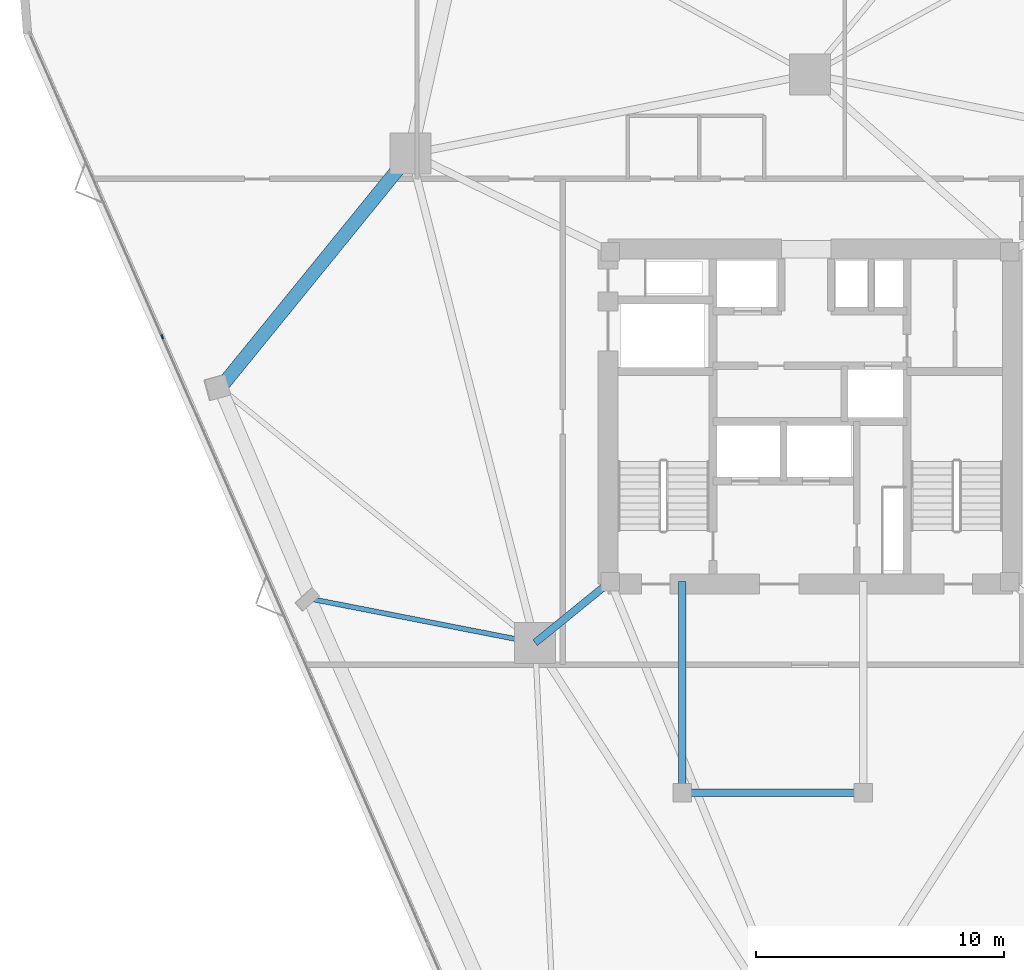
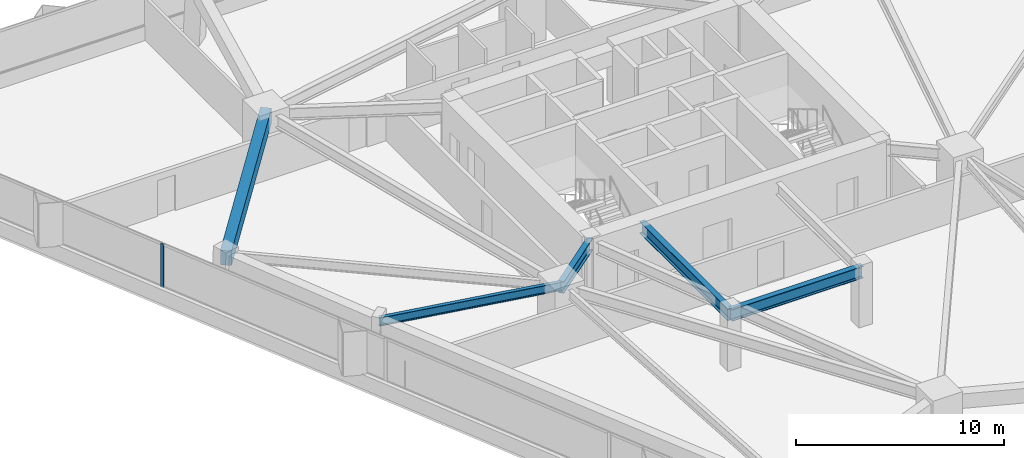
# One storey, part 6 of 19: 5 beams, 1 member, 1 element without a shape of its own.
"""IFC4 building model written with IfcOpenShell, lengths in metres."""

from ifc_helpers import new_model, si_unit, direction, frame, origin, origin_2d, place, context, subcontext, project, spatial, rectangle, i_section, extrude, material, layer, layer_set, material_profile, profile_set, type_object, element, aggregate, save


model = new_model("IFC4")

# Units and contexts
model_context = context("Model", 3, precision=1e-05, world=origin(), true_north=direction((0.0, 1.0)))
body_context = subcontext(model_context, "Body", "Model", "MODEL_VIEW")
ifc_project = project(units=[si_unit("LENGTHUNIT", "METRE"), si_unit("AREAUNIT", "SQUARE_METRE"), si_unit("VOLUMEUNIT", "CUBIC_METRE"), si_unit("PLANEANGLEUNIT", "RADIAN"), si_unit("MASSUNIT", "GRAM", prefix="KILO")], contexts=[model_context])

# Site, building, storey
site_placement = place(None, origin())
site = spatial("IfcSite", under=ifc_project, at=site_placement, CompositionType="ELEMENT")
building_placement = place(site_placement, origin())
building = spatial("IfcBuilding", under=site, at=building_placement, Name="Talyreon Biosciences Tower", CompositionType="ELEMENT")
storey_placement = place(building_placement, frame((0.0, 0.0, 85.949951171875)))
storey = spatial("IfcBuildingStorey", under=building, at=storey_placement, Name="L22", CompositionType="ELEMENT", Elevation=85.949951171875)

# Curtain wall, member
ifc_material_1 = material(Name="Thermally broken aluminium and low-E glazing", Category="aluminium")
ifc_layer = layer(ifc_material_1, 0.18994140625)
ifc_layer_set = layer_set([ifc_layer], Name="Thermally broken aluminium and low-E glazing")
curtain_wall_type = type_object("IfcCurtainWallType", Name="CurtainWall_Zone2Genomics", PredefinedType="NOTDEFINED", material=ifc_layer_set)
curtain_wall_placement = place(storey_placement, origin())
curtain_wall = element("IfcCurtainWall", 1, at=curtain_wall_placement, inside=storey, type_object=curtain_wall_type, Name="L22 Unitised Curtain Wall FCW-L22-00", PredefinedType="NOTDEFINED")
ifc_material_2 = material(Name="Anodised thermally broken aluminium", Category="aluminium")
ifc_material_profile_1 = material_profile(ifc_material_2, rectangle(XDim=0.06494140625, YDim=0.179931640625, at=origin_2d()), Name="ALUM MULLION 65x180")
ifc_profile_set_1 = profile_set([ifc_material_profile_1], Name="Anodised thermally broken aluminium")
member_type = type_object("IfcMemberType", Name="CWMullion_65x180", PredefinedType="MULLION", material=ifc_profile_set_1)
member_placement = place(storey_placement, frame((39.88134765625, 71.2197265625, 0.81005859375), z_axis=(0.0, 0.0, 1.0), x_axis=(-0.916213942072, -0.400689421314, 0.0)))
member = element("IfcMember", 2, at=member_placement, type_object=member_type, Name="CW3 mullion 5", PredefinedType="MULLION", context=body_context, shape_type="SweptSolid", body=[
    extrude(rectangle(XDim=0.06494140625, YDim=0.179931640625, at=origin_2d()), origin(), (0.0, 0.0, 1.0), 2.56494140625),
])
aggregate(curtain_wall, [member])

# Beams
ifc_material_3 = material(Name="Precast concrete C45/55", Category="concrete")
ifc_material_profile_2 = material_profile(ifc_material_3, rectangle(XDim=0.550048828125, YDim=0.85009765625, at=origin_2d()), Name="RCB 550x850")
ifc_profile_set_2 = profile_set([ifc_material_profile_2], Name="Precast concrete C45/55")
beam_type_1 = type_object("IfcBeamType", Name="ExpressedSpandrel_550x850", PredefinedType="SPANDREL", material=ifc_profile_set_2)
beam_1_placement = place(storey_placement, frame((49.897705078125, 78.5986328125, 2.949951171875), z_axis=(-0.630945259734, -0.775827351425, 0.0), x_axis=(0.775827351425, -0.630945259734, 0.0)))
element("IfcBeam", 3, at=beam_1_placement, inside=storey, type_object=beam_type_1, Name="L22 Expressed Horizontal Concrete Spandrel 09", PredefinedType="SPANDREL", context=body_context, shape_type="SweptSolid", body=[
    extrude(rectangle(XDim=0.550048828125, YDim=0.85009765625, at=origin_2d()), origin(), (0.0, 0.0, 1.0), 12.169677734375),
])
ifc_material_4 = material(Name="Steel SM355", Category="steel")
ifc_material_profile_3 = material_profile(ifc_material_4, i_section(OverallWidth=0.300048828125, OverallDepth=0.699951171875, WebThickness=0.01708984375, FlangeThickness=0.031982421875, FilletRadius=0.027099609375, at=origin_2d()), Name="HE700B")
ifc_profile_set_3 = profile_set([ifc_material_profile_3], Name="Steel SM355")
beam_type_2 = type_object("IfcBeamType", Name="SteelGirder_HE700B", PredefinedType="BEAM", material=ifc_profile_set_3)
beam_2_placement = place(storey_placement, frame((57.949951171875, 61.35009765625, 3.025146484375), z_axis=(-0.775755154013, -0.631034025249, 0.0), x_axis=(0.631034025249, -0.775755154013, 0.0)))
element("IfcBeam", 4, at=beam_2_placement, inside=storey, type_object=beam_type_2, Name="L22 Radial Primary Girder 6", PredefinedType="BEAM", context=body_context, shape_type="SweptSolid", body=[
    extrude(i_section(OverallWidth=0.300048828125, OverallDepth=0.699951171875, WebThickness=0.01708984375, FlangeThickness=0.031982421875, FilletRadius=0.027099609375, at=origin_2d()), origin(), (0.0, 0.0, 1.0), 3.913818359375),
])
beam_3_placement = place(storey_placement, frame((60.85009765625, 52.840087890625, 3.025146484375), z_axis=(1.0, 0.0, 0.0), x_axis=(0.0, 1.0, 0.0)))
element("IfcBeam", 5, at=beam_3_placement, inside=storey, type_object=beam_type_2, Name="L22 Crown Shaft Spine Girder S", PredefinedType="BEAM", context=body_context, shape_type="SweptSolid", body=[
    extrude(i_section(OverallWidth=0.300048828125, OverallDepth=0.699951171875, WebThickness=0.01708984375, FlangeThickness=0.031982421875, FilletRadius=0.027099609375, at=origin_2d()), origin(), (0.0, 0.0, 1.0), 7.2998046875),
])
beam_4_placement = place(storey_placement, frame((60.85009765625, 52.840087890625, 3.025146484375), z_axis=(0.0, 1.0, 0.0), x_axis=(-1.0, 0.0, 0.0)))
element("IfcBeam", 6, at=beam_4_placement, inside=storey, type_object=beam_type_2, Name="L22 Crown Shaft Tie Girder W", PredefinedType="BEAM", context=body_context, shape_type="SweptSolid", body=[
    extrude(i_section(OverallWidth=0.300048828125, OverallDepth=0.699951171875, WebThickness=0.01708984375, FlangeThickness=0.031982421875, FilletRadius=0.027099609375, at=origin_2d()), origin(), (0.0, 0.0, 1.0), 8.510009765625),
])
ifc_material_profile_4 = material_profile(ifc_material_4, i_section(OverallWidth=0.199951171875, OverallDepth=0.5, WebThickness=0.01025390625, FlangeThickness=0.01611328125, FilletRadius=0.02099609375, at=origin_2d()), Name="IPE500")
ifc_profile_set_4 = profile_set([ifc_material_profile_4], Name="Steel SM355")
beam_type_3 = type_object("IfcBeamType", Name="SteelJoist_IPE500", PredefinedType="JOIST", material=ifc_profile_set_4)
beam_5_placement = place(storey_placement, frame((54.913818359375, 58.88037109375, 3.125), z_axis=(-0.981347599113, 0.192241748108, 0.0), x_axis=(-0.192241748108, -0.981347599113, 0.0)))
element("IfcBeam", 7, at=beam_5_placement, inside=storey, type_object=beam_type_3, Name="L22 Radial Composite Floor Joist PL-SW", PredefinedType="JOIST", context=body_context, shape_type="SweptSolid", body=[
    extrude(i_section(OverallWidth=0.199951171875, OverallDepth=0.5, WebThickness=0.01025390625, FlangeThickness=0.01611328125, FilletRadius=0.02099609375, at=origin_2d()), origin(), (0.0, 0.0, 1.0), 9.261962890625),
])

save(model, "model.ifc")
